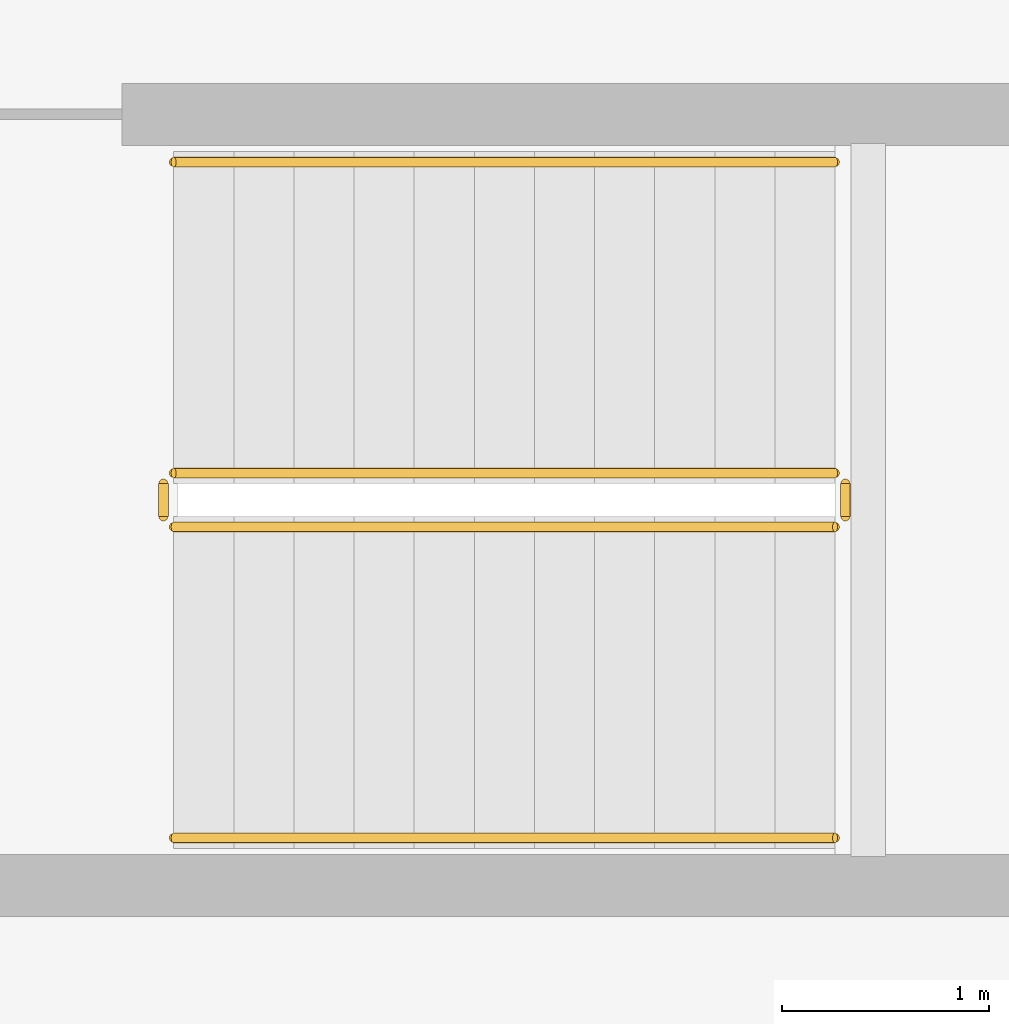
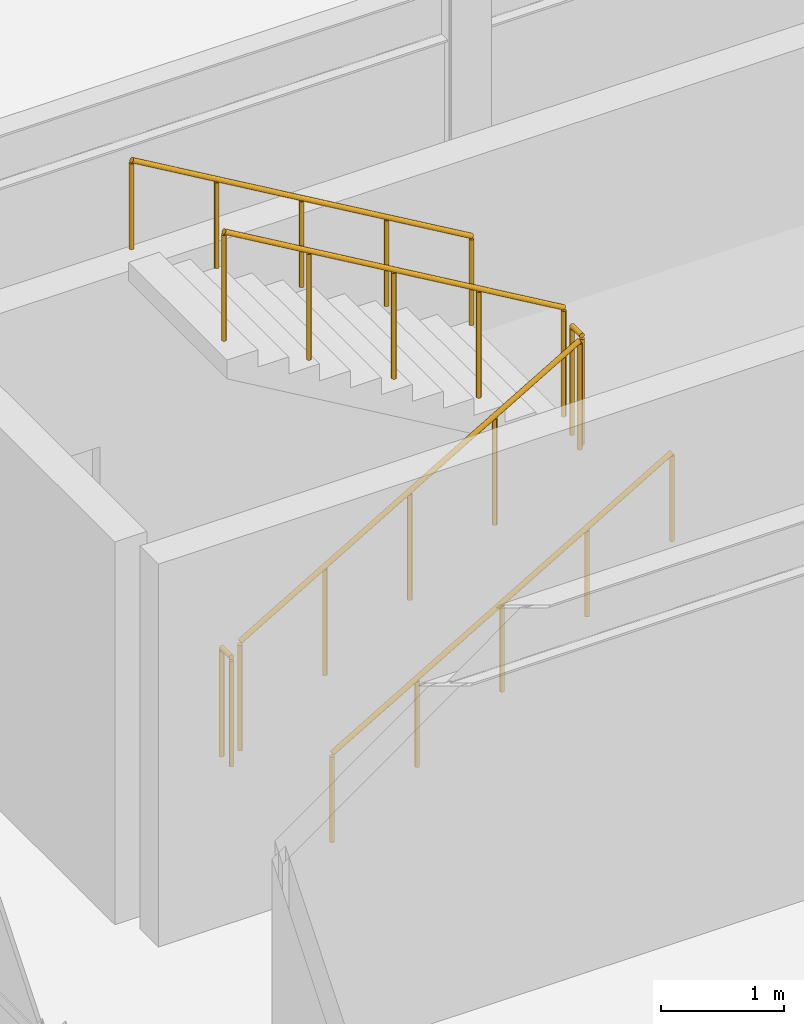
# One storey, part 137 of 138: 6 railings.
"""IFC4 building model written with IfcOpenShell, lengths in metres."""

from ifc_helpers import new_model, si_unit, direction, frame, origin, origin_2d, place, context, subcontext, project, spatial, circle, extrude, material, type_object, element, save


model = new_model("IFC4")

# Units and contexts
model_context = context("Model", 3, precision=1e-05, world=origin(), true_north=direction((0.0, 1.0)))
body_context = subcontext(model_context, "Body", "Model", "MODEL_VIEW")
ifc_project = project(units=[si_unit("LENGTHUNIT", "METRE"), si_unit("AREAUNIT", "SQUARE_METRE"), si_unit("VOLUMEUNIT", "CUBIC_METRE"), si_unit("PLANEANGLEUNIT", "RADIAN"), si_unit("MASSUNIT", "GRAM", prefix="KILO")], contexts=[model_context])

# Site, building, storey
site_placement = place(None, origin())
site = spatial("IfcSite", under=ifc_project, at=site_placement, CompositionType="ELEMENT")
building_placement = place(site_placement, origin())
building = spatial("IfcBuilding", under=site, at=building_placement, Name="Kranzveld Transit Interchange", CompositionType="ELEMENT")
storey_placement = place(building_placement, frame((0.0, 0.0, 5.43994140625)))
storey = spatial("IfcBuildingStorey", under=building, at=storey_placement, Name="L01", CompositionType="ELEMENT", Elevation=5.43994140625)

# Railings
ifc_material_1 = material(Name="Steel S355JR", Category="steel")
railing_type_1 = type_object("IfcRailingType", Name="Stair & Ramp Handrail Steel 900", PredefinedType="HANDRAIL", material=ifc_material_1)
railing_1_placement = place(storey_placement, frame((155.14990234375, 74.3701171875, 0.170166015625)))
element("IfcRailing", 1, at=railing_1_placement, inside=storey, type_object=railing_type_1, Name="L01 ST-V4B stair handrail 1", PredefinedType="HANDRAIL", context=body_context, shape_type="SweptSolid", body=[
    extrude(circle(Radius=0.02392578125, at=origin_2d()), frame((0.0, 0.0, 0.8759765625), z_axis=(0.862725780356, 0.0, 0.505672055693), x_axis=(0.0, 1.0, 0.0)), (0.0, 0.0, 1.0), 3.69775390625),
    extrude(circle(Radius=0.02099609375, at=origin_2d()), origin(), (0.0, 0.0, 1.0), 0.849853515625),
    extrude(circle(Radius=0.02099609375, at=origin_2d()), frame((0.797607421875, 0.0, 0.467529296875)), (0.0, 0.0, 1.0), 0.849853515625),
    extrude(circle(Radius=0.02099609375, at=origin_2d()), frame((1.59521484375, 0.0, 0.93505859375)), (0.0, 0.0, 1.0), 0.849853515625),
    extrude(circle(Radius=0.02099609375, at=origin_2d()), frame((2.392578125, 0.0, 1.40234375)), (0.0, 0.0, 1.0), 0.849853515625),
    extrude(circle(Radius=0.02099609375, at=origin_2d()), frame((3.190185546875, 0.0, 1.869873046875)), (0.0, 0.0, 1.0), 0.849853515625),
])
railing_2_placement = place(storey_placement, frame((158.340087890625, 77.6298828125, 2.2099609375)))
element("IfcRailing", 2, at=railing_2_placement, inside=storey, type_object=railing_type_1, Name="L01 ST-V4B stair handrail 2", PredefinedType="HANDRAIL", context=body_context, shape_type="SweptSolid", body=[
    extrude(circle(Radius=0.02392578125, at=origin_2d()), frame((0.0, 0.0, 0.8759765625), z_axis=(-0.862696976859, 0.0, 0.505721194057), x_axis=(0.0, -1.0, 0.0)), (0.0, 0.0, 1.0), 3.697998046875),
    extrude(circle(Radius=0.02099609375, at=origin_2d()), origin(), (0.0, 0.0, 1.0), 0.849853515625),
    extrude(circle(Radius=0.02099609375, at=origin_2d()), frame((-0.797607421875, 0.0, 0.467529296875)), (0.0, 0.0, 1.0), 0.849853515625),
    extrude(circle(Radius=0.02099609375, at=origin_2d()), frame((-1.59521484375, 0.0, 0.93505859375)), (0.0, 0.0, 1.0), 0.849853515625),
    extrude(circle(Radius=0.02099609375, at=origin_2d()), frame((-2.392578125, 0.0, 1.402587890625)), (0.0, 0.0, 1.0), 0.849853515625),
    extrude(circle(Radius=0.02099609375, at=origin_2d()), frame((-3.190185546875, 0.0, 1.8701171875)), (0.0, 0.0, 1.0), 0.849853515625),
])
ifc_material_2 = material(Name="Steel S355JR", Category="steel")
railing_type_2 = type_object("IfcRailingType", Name="Stair Well Guardrail Steel 1100", PredefinedType="GUARDRAIL", material=ifc_material_2)
railing_3_placement = place(storey_placement, frame((155.14990234375, 75.8701171875, 0.170166015625)))
element("IfcRailing", 3, at=railing_3_placement, inside=storey, type_object=railing_type_2, Name="L01 ST-V4B stair guard 1", PredefinedType="GUARDRAIL", context=body_context, shape_type="SweptSolid", body=[
    extrude(circle(Radius=0.02392578125, at=origin_2d()), frame((0.0, 0.0, 1.076171875), z_axis=(0.862725780356, 0.0, 0.505672055693), x_axis=(0.0, 1.0, 0.0)), (0.0, 0.0, 1.0), 3.69775390625),
    extrude(circle(Radius=0.02099609375, at=origin_2d()), origin(), (0.0, 0.0, 1.0), 1.050048828125),
    extrude(circle(Radius=0.02099609375, at=origin_2d()), frame((0.797607421875, 0.0, 0.467529296875)), (0.0, 0.0, 1.0), 1.050048828125),
    extrude(circle(Radius=0.02099609375, at=origin_2d()), frame((1.59521484375, 0.0, 0.93505859375)), (0.0, 0.0, 1.0), 1.050048828125),
    extrude(circle(Radius=0.02099609375, at=origin_2d()), frame((2.392578125, 0.0, 1.40234375)), (0.0, 0.0, 1.0), 1.050048828125),
    extrude(circle(Radius=0.02099609375, at=origin_2d()), frame((3.190185546875, 0.0, 1.869873046875)), (0.0, 0.0, 1.0), 1.050048828125),
])
railing_4_placement = place(storey_placement, frame((158.389892578125, 75.919921875, 2.0400390625)))
element("IfcRailing", 4, at=railing_4_placement, inside=storey, type_object=railing_type_2, Name="L01 ST-V4B stair guard 2", PredefinedType="GUARDRAIL", context=body_context, shape_type="SweptSolid", body=[
    extrude(circle(Radius=0.02392578125, at=origin_2d()), frame((0.0, 0.0, 1.076171875), z_axis=(0.0, 1.0, 0.0), x_axis=(-1.0, 0.0, 0.0)), (0.0, 0.0, 1.0), 0.16015625),
    extrude(circle(Radius=0.02099609375, at=origin_2d()), origin(), (0.0, 0.0, 1.0), 1.050048828125),
    extrude(circle(Radius=0.02099609375, at=origin_2d()), frame((0.0, 0.16015625, 0.0)), (0.0, 0.0, 1.0), 1.050048828125),
])
railing_5_placement = place(storey_placement, frame((158.340087890625, 76.1298828125, 2.2099609375)))
element("IfcRailing", 5, at=railing_5_placement, inside=storey, type_object=railing_type_2, Name="L01 ST-V4B stair guard 3", PredefinedType="GUARDRAIL", context=body_context, shape_type="SweptSolid", body=[
    extrude(circle(Radius=0.02392578125, at=origin_2d()), frame((0.0, 0.0, 1.076171875), z_axis=(-0.862696976859, 0.0, 0.505721194057), x_axis=(0.0, -1.0, 0.0)), (0.0, 0.0, 1.0), 3.697998046875),
    extrude(circle(Radius=0.02099609375, at=origin_2d()), origin(), (0.0, 0.0, 1.0), 1.050048828125),
    extrude(circle(Radius=0.02099609375, at=origin_2d()), frame((-0.797607421875, 0.0, 0.467529296875)), (0.0, 0.0, 1.0), 1.050048828125),
    extrude(circle(Radius=0.02099609375, at=origin_2d()), frame((-1.59521484375, 0.0, 0.93505859375)), (0.0, 0.0, 1.0), 1.050048828125),
    extrude(circle(Radius=0.02099609375, at=origin_2d()), frame((-2.392578125, 0.0, 1.402587890625)), (0.0, 0.0, 1.0), 1.050048828125),
    extrude(circle(Radius=0.02099609375, at=origin_2d()), frame((-3.190185546875, 0.0, 1.8701171875)), (0.0, 0.0, 1.0), 1.050048828125),
])
railing_6_placement = place(storey_placement, frame((155.10009765625, 75.919921875, 0.0)))
element("IfcRailing", 6, at=railing_6_placement, inside=storey, type_object=railing_type_2, Name="L01 ST-V4B stair guard 4", PredefinedType="GUARDRAIL", context=body_context, shape_type="SweptSolid", body=[
    extrude(circle(Radius=0.02392578125, at=origin_2d()), frame((0.0, 0.0, 1.076171875), z_axis=(0.0, 1.0, 0.0), x_axis=(-1.0, 0.0, 0.0)), (0.0, 0.0, 1.0), 0.16015625),
    extrude(circle(Radius=0.02099609375, at=origin_2d()), origin(), (0.0, 0.0, 1.0), 1.050048828125),
    extrude(circle(Radius=0.02099609375, at=origin_2d()), frame((0.0, 0.16015625, 0.0)), (0.0, 0.0, 1.0), 1.050048828125),
])

save(model, "model.ifc")
